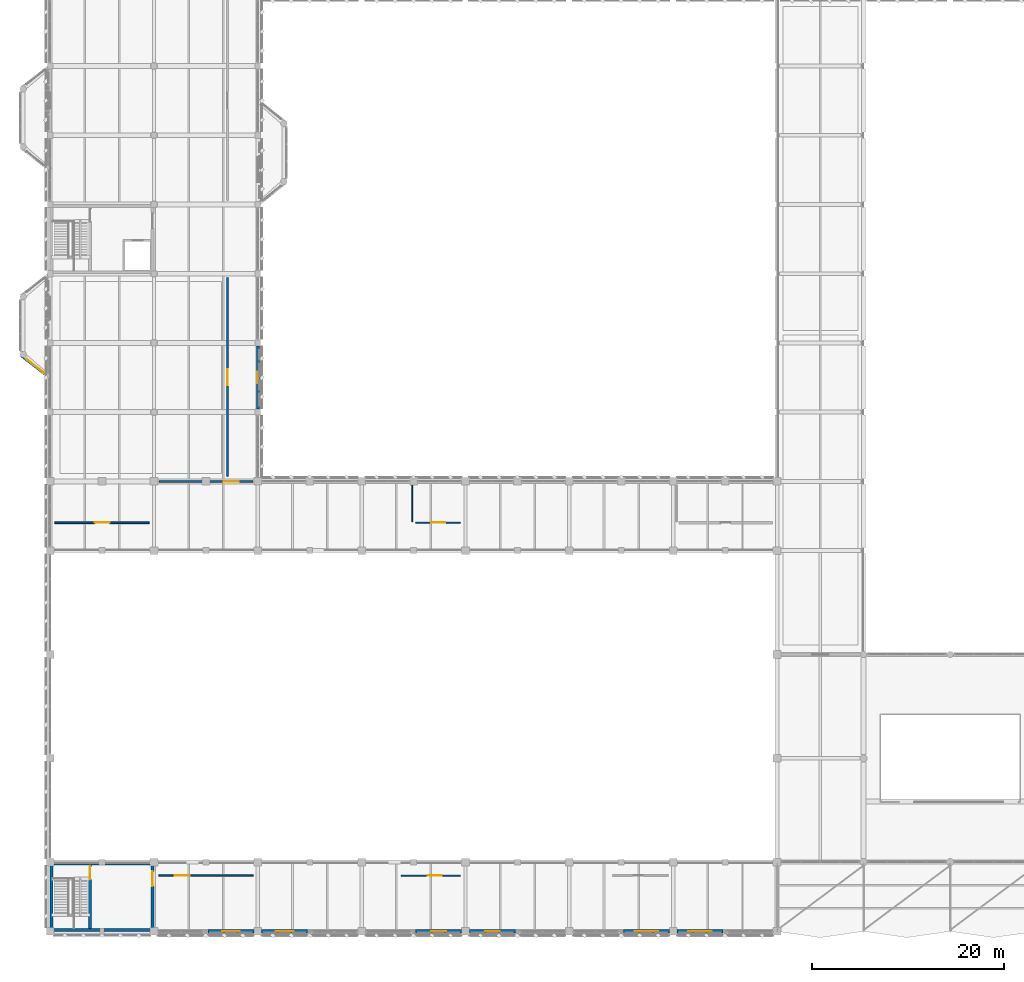
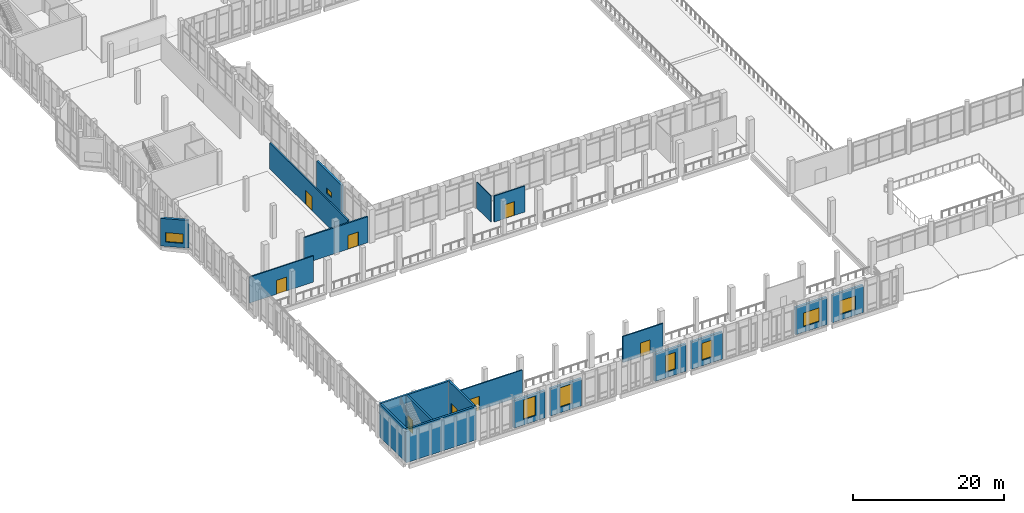
# One storey, part 156 of 180: 20 walls, 8 doors, 8 windows, 16 openings.
"""IFC4 building model written with IfcOpenShell, lengths in metres."""

from ifc_helpers import new_model, si_unit, direction, frame, frame_2d, origin, place, context, subcontext, project, spatial, rectangle, extrude, material, layer, layer_set, type_object, element, fill, save


model = new_model("IFC4")

# Units and contexts
model_context = context("Model", 3, precision=1e-05, world=origin(), true_north=direction((0.0, 1.0)))
body_context = subcontext(model_context, "Body", "Model", "MODEL_VIEW")
ifc_project = project(units=[si_unit("LENGTHUNIT", "METRE"), si_unit("AREAUNIT", "SQUARE_METRE"), si_unit("VOLUMEUNIT", "CUBIC_METRE"), si_unit("PLANEANGLEUNIT", "RADIAN"), si_unit("MASSUNIT", "GRAM", prefix="KILO")], contexts=[model_context])

# Site, building, storey
site_placement = place(None, origin())
site = spatial("IfcSite", under=ifc_project, at=site_placement, CompositionType="ELEMENT")
building_placement = place(site_placement, origin())
building = spatial("IfcBuilding", under=site, at=building_placement, Name="Lusvemor Sports Hall", CompositionType="ELEMENT")
storey_placement = place(building_placement, frame((0.0, 0.0, 5.39990234375)))
storey = spatial("IfcBuildingStorey", under=building, at=storey_placement, Name="L01", CompositionType="ELEMENT", Elevation=5.39990234375)

# Wall, opening, window
ifc_material_1 = material(Name="Emerald polychrome glazed ceramic cladding on Concrete C40/50 backing", Category="concrete")
ifc_layer_1 = layer(ifc_material_1, 0.364990234375)
ifc_layer_set_1 = layer_set([ifc_layer_1], Name="Emerald polychrome glazed ceramic cladding on Concrete C40/50 backing")
wall_type_1 = type_object("IfcWallType", Name="EW_WAVE_CER_365", PredefinedType="STANDARD", material=ifc_layer_set_1)
wall_1_placement = place(storey_placement, frame((21.2041015625, 0.0, 0.0), z_axis=(0.0, 0.0, 1.0), x_axis=(-1.0, 0.0, 0.0)))
wall_1 = element("IfcWall", 1, at=wall_1_placement, inside=storey, type_object=wall_type_1, Name="Exterior Wall EW-V1S-L01-1-2", PredefinedType="STANDARD", context=body_context, shape_type="SweptSolid", body=[
    extrude(rectangle(XDim=4.783203125, YDim=0.364990234375, at=frame_2d((2.3916015625, 0.0))), origin(), (0.0, 0.0, 1.0), 4.425048828125),
])
opening_1_placement = place(wall_1_placement, frame((1.468994140625, 0.0, 0.89990234375)))
opening_1 = element("IfcOpeningElement", 2, at=opening_1_placement, cuts=wall_1, Name="Opening WN04", PredefinedType="OPENING", context=body_context, shape_type="SweptSolid", body=[
    extrude(rectangle(XDim=1.85009765625, YDim=3.14990234375, at=frame_2d((0.925048828125, 1.574951171875))), frame((0.0, 0.1826171875, 0.0), z_axis=(0.0, -1.0, 0.0), x_axis=(1.0, 0.0, 0.0)), (0.0, 0.0, 1.0), 0.364990234375),
])
ifc_material_2 = material(Name="Solar-control laminated double glazing", Category="glass")
window_type_1 = type_object("IfcWindowType", Name="WIN_04", PartitioningType="SINGLE_PANEL", PredefinedType="WINDOW", material=ifc_material_2)
window_1_placement = place(opening_1_placement, origin())
window_1 = element("IfcWindow", 3, at=window_1_placement, inside=storey, type_object=window_type_1, Name="Trough Studio Window 1.2", OverallHeight=3.14990234375, OverallWidth=1.85009765625, PartitioningType="SINGLE_PANEL", PredefinedType="WINDOW", context=body_context, shape_type="SweptSolid", body=[
    extrude(rectangle(XDim=1.85009765625, YDim=3.14990234375, at=frame_2d((0.925048828125, 1.574951171875))), frame((0.0, 0.030029296875, 0.0), z_axis=(0.0, -1.0, 0.0), x_axis=(1.0, 0.0, 0.0)), (0.0, 0.0, 1.0), 0.06005859375),
])
fill(opening_1, window_1)

wall_2_placement = place(storey_placement, frame((26.779052734375, 0.0, 0.0), z_axis=(0.0, 0.0, 1.0), x_axis=(-1.0, 0.0, 0.0)))
wall_2 = element("IfcWall", 4, at=wall_2_placement, inside=storey, type_object=wall_type_1, Name="Exterior Wall EW-V1S-L01-2-1", PredefinedType="STANDARD", context=body_context, shape_type="SweptSolid", body=[
    extrude(rectangle(XDim=4.782958984375, YDim=0.364990234375, at=frame_2d((2.3916015625, 0.0))), origin(), (0.0, 0.0, 1.0), 4.425048828125),
])
opening_2_placement = place(wall_2_placement, frame((1.464111328125, 0.0, 0.89990234375)))
opening_2 = element("IfcOpeningElement", 5, at=opening_2_placement, cuts=wall_2, Name="Opening WN04", PredefinedType="OPENING", context=body_context, shape_type="SweptSolid", body=[
    extrude(rectangle(XDim=1.85009765625, YDim=3.14990234375, at=frame_2d((0.925048828125, 1.574951171875))), frame((0.0, 0.1826171875, 0.0), z_axis=(0.0, -1.0, 0.0), x_axis=(1.0, 0.0, 0.0)), (0.0, 0.0, 1.0), 0.364990234375),
])
window_2_placement = place(opening_2_placement, origin())
window_2 = element("IfcWindow", 6, at=window_2_placement, inside=storey, type_object=window_type_1, Name="Trough Studio Window 2.1", OverallHeight=3.14990234375, OverallWidth=1.85009765625, PartitioningType="SINGLE_PANEL", PredefinedType="WINDOW", context=body_context, shape_type="SweptSolid", body=[
    extrude(rectangle(XDim=1.85009765625, YDim=3.14990234375, at=frame_2d((0.925048828125, 1.574951171875))), frame((0.0, 0.030029296875, 0.0), z_axis=(0.0, -1.0, 0.0), x_axis=(1.0, 0.0, 0.0)), (0.0, 0.0, 1.0), 0.06005859375),
])
fill(opening_2, window_2)

wall_3_placement = place(storey_placement, frame((42.803955078125, 0.0, 0.0), z_axis=(0.0, 0.0, 1.0), x_axis=(-1.0, 0.0, 0.0)))
wall_3 = element("IfcWall", 7, at=wall_3_placement, inside=storey, type_object=wall_type_1, Name="Exterior Wall EW-V1S-L01-3-2", PredefinedType="STANDARD", context=body_context, shape_type="SweptSolid", body=[
    extrude(rectangle(XDim=4.782958984375, YDim=0.364990234375, at=frame_2d((2.3916015625, 0.0))), origin(), (0.0, 0.0, 1.0), 4.425048828125),
])
opening_3_placement = place(wall_3_placement, frame((1.634033203125, 0.0, 0.89990234375)))
opening_3 = element("IfcOpeningElement", 8, at=opening_3_placement, cuts=wall_3, Name="Opening WN06", PredefinedType="OPENING", context=body_context, shape_type="SweptSolid", body=[
    extrude(rectangle(XDim=1.52001953125, YDim=2.75, at=frame_2d((0.760009765625, 1.375))), frame((0.0, 0.1826171875, 0.0), z_axis=(0.0, -1.0, 0.0), x_axis=(1.0, 0.0, 0.0)), (0.0, 0.0, 1.0), 0.364990234375),
])
ifc_material_3 = material(Name="Solar-control laminated double glazing", Category="glass")
window_type_2 = type_object("IfcWindowType", Name="WIN_06", PartitioningType="SINGLE_PANEL", PredefinedType="WINDOW", material=ifc_material_3)
window_3_placement = place(opening_3_placement, origin())
window_3 = element("IfcWindow", 9, at=window_3_placement, inside=storey, type_object=window_type_2, Name="Trough Studio Window 3.2", OverallHeight=2.75, OverallWidth=1.52001953125, PartitioningType="SINGLE_PANEL", PredefinedType="WINDOW", context=body_context, shape_type="SweptSolid", body=[
    extrude(rectangle(XDim=1.52001953125, YDim=2.75, at=frame_2d((0.760009765625, 1.375))), frame((0.0, 0.030029296875, 0.0), z_axis=(0.0, -1.0, 0.0), x_axis=(1.0, 0.0, 0.0)), (0.0, 0.0, 1.0), 0.06005859375),
])
fill(opening_3, window_3)

wall_4_placement = place(storey_placement, frame((48.37890625, 0.0, 0.0), z_axis=(0.0, 0.0, 1.0), x_axis=(-1.0, 0.0, 0.0)))
wall_4 = element("IfcWall", 10, at=wall_4_placement, inside=storey, type_object=wall_type_1, Name="Exterior Wall EW-V1S-L01-4-1", PredefinedType="STANDARD", context=body_context, shape_type="SweptSolid", body=[
    extrude(rectangle(XDim=4.782958984375, YDim=0.364990234375, at=frame_2d((2.3916015625, 0.0))), origin(), (0.0, 0.0, 1.0), 4.425048828125),
])
opening_4_placement = place(wall_4_placement, frame((1.62890625, 0.0, 0.89990234375)))
opening_4 = element("IfcOpeningElement", 11, at=opening_4_placement, cuts=wall_4, Name="Opening WN06", PredefinedType="OPENING", context=body_context, shape_type="SweptSolid", body=[
    extrude(rectangle(XDim=1.52001953125, YDim=2.75, at=frame_2d((0.760009765625, 1.375))), frame((0.0, 0.1826171875, 0.0), z_axis=(0.0, -1.0, 0.0), x_axis=(1.0, 0.0, 0.0)), (0.0, 0.0, 1.0), 0.364990234375),
])
window_4_placement = place(opening_4_placement, origin())
window_4 = element("IfcWindow", 12, at=window_4_placement, inside=storey, type_object=window_type_2, Name="Trough Studio Window 4.1", OverallHeight=2.75, OverallWidth=1.52001953125, PartitioningType="SINGLE_PANEL", PredefinedType="WINDOW", context=body_context, shape_type="SweptSolid", body=[
    extrude(rectangle(XDim=1.52001953125, YDim=2.75, at=frame_2d((0.760009765625, 1.375))), frame((0.0, 0.030029296875, 0.0), z_axis=(0.0, -1.0, 0.0), x_axis=(1.0, 0.0, 0.0)), (0.0, 0.0, 1.0), 0.06005859375),
])
fill(opening_4, window_4)

wall_5_placement = place(storey_placement, frame((64.404052734375, 0.0, 0.0), z_axis=(0.0, 0.0, 1.0), x_axis=(-1.0, 0.0, 0.0)))
wall_5 = element("IfcWall", 13, at=wall_5_placement, inside=storey, type_object=wall_type_1, Name="Exterior Wall EW-V1S-L01-5-2", PredefinedType="STANDARD", context=body_context, shape_type="SweptSolid", body=[
    extrude(rectangle(XDim=4.782958984375, YDim=0.364990234375, at=frame_2d((2.3916015625, 0.0))), origin(), (0.0, 0.0, 1.0), 4.425048828125),
])
opening_5_placement = place(wall_5_placement, frame((1.18408203125, 0.0, 0.89990234375)))
opening_5 = element("IfcOpeningElement", 14, at=opening_5_placement, cuts=wall_5, Name="Opening WN08", PredefinedType="OPENING", context=body_context, shape_type="SweptSolid", body=[
    extrude(rectangle(XDim=2.419921875, YDim=2.219970703125, at=frame_2d((1.2099609375, 1.10986328125))), frame((0.0, 0.1826171875, 0.0), z_axis=(0.0, -1.0, 0.0), x_axis=(1.0, 0.0, 0.0)), (0.0, 0.0, 1.0), 0.364990234375),
])
ifc_material_4 = material(Name="Solar-control laminated double glazing", Category="glass")
window_type_3 = type_object("IfcWindowType", Name="WIN_08", PartitioningType="SINGLE_PANEL", PredefinedType="WINDOW", material=ifc_material_4)
window_5_placement = place(opening_5_placement, origin())
window_5 = element("IfcWindow", 15, at=window_5_placement, inside=storey, type_object=window_type_3, Name="Trough Studio Window 5.2", OverallHeight=2.219970703125, OverallWidth=2.419921875, PartitioningType="SINGLE_PANEL", PredefinedType="WINDOW", context=body_context, shape_type="SweptSolid", body=[
    extrude(rectangle(XDim=2.419921875, YDim=2.219970703125, at=frame_2d((1.2099609375, 1.10986328125))), frame((0.0, 0.030029296875, 0.0), z_axis=(0.0, -1.0, 0.0), x_axis=(1.0, 0.0, 0.0)), (0.0, 0.0, 1.0), 0.06005859375),
])
fill(opening_5, window_5)

wall_6_placement = place(storey_placement, frame((69.97900390625, 0.0, 0.0), z_axis=(0.0, 0.0, 1.0), x_axis=(-1.0, 0.0, 0.0)))
wall_6 = element("IfcWall", 16, at=wall_6_placement, inside=storey, type_object=wall_type_1, Name="Exterior Wall EW-V1S-L01-6-1", PredefinedType="STANDARD", context=body_context, shape_type="SweptSolid", body=[
    extrude(rectangle(XDim=4.782958984375, YDim=0.364990234375, at=frame_2d((2.3916015625, 0.0))), origin(), (0.0, 0.0, 1.0), 4.425048828125),
])
opening_6_placement = place(wall_6_placement, frame((1.178955078125, 0.0, 0.89990234375)))
opening_6 = element("IfcOpeningElement", 17, at=opening_6_placement, cuts=wall_6, Name="Opening WN08", PredefinedType="OPENING", context=body_context, shape_type="SweptSolid", body=[
    extrude(rectangle(XDim=2.419921875, YDim=2.219970703125, at=frame_2d((1.2099609375, 1.10986328125))), frame((0.0, 0.1826171875, 0.0), z_axis=(0.0, -1.0, 0.0), x_axis=(1.0, 0.0, 0.0)), (0.0, 0.0, 1.0), 0.364990234375),
])
window_6_placement = place(opening_6_placement, origin())
window_6 = element("IfcWindow", 18, at=window_6_placement, inside=storey, type_object=window_type_3, Name="Trough Studio Window 6.1", OverallHeight=2.219970703125, OverallWidth=2.419921875, PartitioningType="SINGLE_PANEL", PredefinedType="WINDOW", context=body_context, shape_type="SweptSolid", body=[
    extrude(rectangle(XDim=2.419921875, YDim=2.219970703125, at=frame_2d((1.2099609375, 1.10986328125))), frame((0.0, 0.030029296875, 0.0), z_axis=(0.0, -1.0, 0.0), x_axis=(1.0, 0.0, 0.0)), (0.0, 0.0, 1.0), 0.06005859375),
])
fill(opening_6, window_6)

wall_7_placement = place(storey_placement, frame((-0.009765625, 57.607421875, 0.0), z_axis=(0.0, 0.0, 1.0), x_axis=(-0.790710624982, 0.612190091018, 0.0)))
wall_7 = element("IfcWall", 19, at=wall_7_placement, inside=storey, type_object=wall_type_1, Name="Art Nouveau Bow Wall EW-BOW-W1-L01-1", PredefinedType="STANDARD", context=body_context, shape_type="SweptSolid", body=[
    extrude(rectangle(XDim=3.7880859375, YDim=0.364990234375, at=frame_2d((1.89404296875, 0.0))), origin(), (0.0, 0.0, 1.0), 4.47998046875),
])
opening_7_placement = place(wall_7_placement, frame((0.78759765625, 0.0, 0.699951171875)))
opening_7 = element("IfcOpeningElement", 20, at=opening_7_placement, cuts=wall_7, Name="Opening WN21", PredefinedType="OPENING", context=body_context, shape_type="SweptSolid", body=[
    extrude(rectangle(XDim=2.320068359375, YDim=1.52001953125, at=frame_2d((1.16015625, 0.760009765625))), frame((0.0, 0.1826171875, 0.0), z_axis=(0.0, -1.0, 0.0), x_axis=(1.0, 0.0, 0.0)), (0.0, 0.0, 1.0), 0.364990234375),
])
ifc_material_5 = material(Name="Solar-control laminated double glazing", Category="glass")
window_type_4 = type_object("IfcWindowType", Name="WIN_21", PartitioningType="SINGLE_PANEL", PredefinedType="WINDOW", material=ifc_material_5)
window_7_placement = place(opening_7_placement, origin())
window_7 = element("IfcWindow", 21, at=window_7_placement, inside=storey, type_object=window_type_4, Name="Art Nouveau Bow Window BOW-W1 L01-1", OverallHeight=1.52001953125, OverallWidth=2.320068359375, PartitioningType="SINGLE_PANEL", PredefinedType="WINDOW", context=body_context, shape_type="SweptSolid", body=[
    extrude(rectangle(XDim=2.320068359375, YDim=1.52001953125, at=frame_2d((1.16015625, 0.760009765625))), frame((0.0, 0.030029296875, 0.0), z_axis=(0.0, -1.0, 0.0), x_axis=(1.0, 0.0, 0.0)), (0.0, 0.0, 1.0), 0.06005859375),
])
fill(opening_7, window_7)

ifc_material_6 = material(Name="Warm terracotta Art Nouveau ceramic cladding on Concrete C40/50 backing", Category="masonry")
ifc_layer_2 = layer(ifc_material_6, 0.31494140625)
ifc_layer_set_2 = layer_set([ifc_layer_2], Name="Warm terracotta Art Nouveau ceramic cladding on Concrete C40/50 backing")
wall_type_2 = type_object("IfcWallType", Name="EW_WING_CAV_315", PredefinedType="STANDARD", material=ifc_layer_set_2)
wall_8_placement = place(storey_placement, frame((21.60009765625, 60.884033203125, 0.0), z_axis=(0.0, 0.0, 1.0), x_axis=(0.0, -1.0, 0.0)))
wall_8 = element("IfcWall", 22, at=wall_8_placement, inside=storey, type_object=wall_type_2, Name="Exterior Wall EW-L01-E-4-1", PredefinedType="STANDARD", context=body_context, shape_type="SweptSolid", body=[
    extrude(rectangle(XDim=6.568115234375, YDim=0.31494140625, at=frame_2d((3.2841796875, 0.0))), origin(), (0.0, 0.0, 1.0), 4.51513671875),
])
opening_8_placement = place(wall_8_placement, frame((2.6640625, 0.0, 0.89990234375)))
opening_8 = element("IfcOpeningElement", 23, at=opening_8_placement, cuts=wall_8, Name="Opening WN15", PredefinedType="OPENING", context=body_context, shape_type="SweptSolid", body=[
    extrude(rectangle(XDim=1.239990234375, YDim=0.820068359375, at=frame_2d((0.6201171875, 0.41015625))), frame((0.0, 0.157470703125, 0.0), z_axis=(0.0, -1.0, 0.0), x_axis=(1.0, 0.0, 0.0)), (0.0, 0.0, 1.0), 0.31494140625),
])
ifc_material_7 = material(Name="Solar-control laminated double glazing", Category="glass")
window_type_5 = type_object("IfcWindowType", Name="WIN_15", PartitioningType="SINGLE_PANEL", PredefinedType="WINDOW", material=ifc_material_7)
window_8_placement = place(opening_8_placement, origin())
window_8 = element("IfcWindow", 24, at=window_8_placement, inside=storey, type_object=window_type_5, Name="Wing Window L01-E-4-1", OverallHeight=0.820068359375, OverallWidth=1.239990234375, PartitioningType="SINGLE_PANEL", PredefinedType="WINDOW", context=body_context, shape_type="SweptSolid", body=[
    extrude(rectangle(XDim=1.239990234375, YDim=0.820068359375, at=frame_2d((0.6201171875, 0.41015625))), frame((0.0, 0.030029296875, 0.0), z_axis=(0.0, -1.0, 0.0), x_axis=(1.0, 0.0, 0.0)), (0.0, 0.0, 1.0), 0.06005859375),
])
fill(opening_8, window_8)

# Wall, opening, door
ifc_material_8 = material(Name="Double-leaf acoustic gypsum board on metal studs")
ifc_layer_3 = layer(ifc_material_8, 0.179931640625)
ifc_layer_set_3 = layer_set([ifc_layer_3], Name="Double-leaf acoustic gypsum board on metal studs")
wall_type_3 = type_object("IfcWallType", Name="IW_ACOUST_184", PredefinedType="STANDARD", material=ifc_layer_set_3)
wall_9_placement = place(storey_placement, frame((11.300048828125, 5.800048828125, 0.0), z_axis=(0.0, 0.0, 1.0), x_axis=(1.0, 0.0, 0.0)))
wall_9 = element("IfcWall", 25, at=wall_9_placement, inside=storey, type_object=wall_type_3, Name="Partition IW-L01-V1S-UT1", PredefinedType="STANDARD", context=body_context, shape_type="SweptSolid", body=[
    extrude(rectangle(XDim=9.800048828125, YDim=0.179931640625, at=frame_2d((4.89990234375, 0.0))), origin(), (0.0, 0.0, 1.0), 4.22021484375),
])
opening_9_placement = place(wall_9_placement, frame((1.64794921875, 0.0, 0.0)))
opening_9 = element("IfcOpeningElement", 26, at=opening_9_placement, cuts=wall_9, Name="Opening ID04", PredefinedType="OPENING", context=body_context, shape_type="SweptSolid", body=[
    extrude(rectangle(XDim=1.56005859375, YDim=2.25, at=frame_2d((0.780029296875, 1.125))), frame((0.0, 0.08984375, 0.0), z_axis=(0.0, -1.0, 0.0), x_axis=(1.0, 0.0, 0.0)), (0.0, 0.0, 1.0), 0.179931640625),
])
ifc_material_9 = material(Name="Acoustic solid-core hardwood door leaf in steel frame", Category="steel")
door_type_1 = type_object("IfcDoorType", Name="IDR_STUDIO_156", OperationType="NOTDEFINED", PredefinedType="DOOR", material=ifc_material_9)
door_1_placement = place(opening_9_placement, origin())
door_1 = element("IfcDoor", 27, at=door_1_placement, inside=storey, type_object=door_type_1, Name="DR-168", OperationType="SINGLE_SWING_RIGHT", OverallHeight=2.25, OverallWidth=1.56005859375, PredefinedType="DOOR", context=body_context, shape_type="SweptSolid", body=[
    extrude(rectangle(XDim=1.56005859375, YDim=2.25, at=frame_2d((0.780029296875, 1.125))), frame((0.0, 0.02490234375, 0.0), z_axis=(0.0, -1.0, 0.0), x_axis=(1.0, 0.0, 0.0)), (0.0, 0.0, 1.0), 0.050048828125),
])
fill(opening_9, door_1)

wall_10_placement = place(storey_placement, frame((36.5, 5.800048828125, 0.0), z_axis=(0.0, 0.0, 1.0), x_axis=(1.0, 0.0, 0.0)))
wall_10 = element("IfcWall", 28, at=wall_10_placement, inside=storey, type_object=wall_type_3, Name="Partition IW-L01-V1S-UT2", PredefinedType="STANDARD", context=body_context, shape_type="SweptSolid", body=[
    extrude(rectangle(XDim=6.199951171875, YDim=0.179931640625, at=frame_2d((3.10009765625, 0.0))), origin(), (0.0, 0.0, 1.0), 4.22021484375),
])
opening_10_placement = place(wall_10_placement, frame((2.7490234375, 0.0, 0.0)))
opening_10 = element("IfcOpeningElement", 29, at=opening_10_placement, cuts=wall_10, Name="Opening ID05", PredefinedType="OPENING", context=body_context, shape_type="SweptSolid", body=[
    extrude(rectangle(XDim=1.4599609375, YDim=2.239990234375, at=frame_2d((0.72998046875, 1.1201171875))), frame((0.0, 0.08984375, 0.0), z_axis=(0.0, -1.0, 0.0), x_axis=(1.0, 0.0, 0.0)), (0.0, 0.0, 1.0), 0.179931640625),
])
ifc_material_10 = material(Name="Acoustic solid-core hardwood door leaf in steel frame", Category="steel")
door_type_2 = type_object("IfcDoorType", Name="IDR_STUDIO_146", OperationType="NOTDEFINED", PredefinedType="DOOR", material=ifc_material_10)
door_2_placement = place(opening_10_placement, origin())
door_2 = element("IfcDoor", 30, at=door_2_placement, inside=storey, type_object=door_type_2, Name="DR-169", OperationType="SINGLE_SWING_LEFT", OverallHeight=2.239990234375, OverallWidth=1.4599609375, PredefinedType="DOOR", context=body_context, shape_type="SweptSolid", body=[
    extrude(rectangle(XDim=1.4599609375, YDim=2.239990234375, at=frame_2d((0.72998046875, 1.1201171875))), frame((0.0, 0.02490234375, 0.0), z_axis=(0.0, -1.0, 0.0), x_axis=(1.0, 0.0, 0.0)), (0.0, 0.0, 1.0), 0.050048828125),
])
fill(opening_10, door_2)

wall_11_placement = place(storey_placement, frame((0.5, 42.5, 0.0), z_axis=(0.0, 0.0, 1.0), x_axis=(1.0, 0.0, 0.0)))
wall_11 = element("IfcWall", 31, at=wall_11_placement, inside=storey, type_object=wall_type_3, Name="Partition IW-L01-V1N-UT3", PredefinedType="STANDARD", context=body_context, shape_type="SweptSolid", body=[
    extrude(rectangle(XDim=9.800048828125, YDim=0.179931640625, at=frame_2d((4.89990234375, 0.0))), origin(), (0.0, 0.0, 1.0), 4.22021484375),
])
opening_11_placement = place(wall_11_placement, frame((4.1201171875, 0.0, 0.0)))
opening_11 = element("IfcOpeningElement", 32, at=opening_11_placement, cuts=wall_11, Name="Opening ID04", PredefinedType="OPENING", context=body_context, shape_type="SweptSolid", body=[
    extrude(rectangle(XDim=1.56005859375, YDim=2.25, at=frame_2d((0.780029296875, 1.125))), frame((0.0, 0.08984375, 0.0), z_axis=(0.0, -1.0, 0.0), x_axis=(1.0, 0.0, 0.0)), (0.0, 0.0, 1.0), 0.179931640625),
])
door_3_placement = place(opening_11_placement, origin())
door_3 = element("IfcDoor", 33, at=door_3_placement, inside=storey, type_object=door_type_1, Name="DR-172", OperationType="SINGLE_SWING_RIGHT", OverallHeight=2.25, OverallWidth=1.56005859375, PredefinedType="DOOR", context=body_context, shape_type="SweptSolid", body=[
    extrude(rectangle(XDim=1.56005859375, YDim=2.25, at=frame_2d((0.780029296875, 1.125))), frame((0.0, 0.02490234375, 0.0), z_axis=(0.0, -1.0, 0.0), x_axis=(1.0, 0.0, 0.0)), (0.0, 0.0, 1.0), 0.050048828125),
])
fill(opening_11, door_3)

wall_12_placement = place(storey_placement, frame((38.0, 42.5, 0.0), z_axis=(0.0, 0.0, 1.0), x_axis=(1.0, 0.0, 0.0)))
wall_12 = element("IfcWall", 34, at=wall_12_placement, inside=storey, type_object=wall_type_3, Name="Partition IW-L01-V1N-UT4", PredefinedType="STANDARD", context=body_context, shape_type="SweptSolid", body=[
    extrude(rectangle(XDim=4.699951171875, YDim=0.179931640625, at=frame_2d((2.35009765625, 0.0))), origin(), (0.0, 0.0, 1.0), 4.22021484375),
])
opening_12_placement = place(wall_12_placement, frame((1.6201171875, 0.0, 0.0)))
opening_12 = element("IfcOpeningElement", 35, at=opening_12_placement, cuts=wall_12, Name="Opening ID05", PredefinedType="OPENING", context=body_context, shape_type="SweptSolid", body=[
    extrude(rectangle(XDim=1.4599609375, YDim=2.239990234375, at=frame_2d((0.72998046875, 1.1201171875))), frame((0.0, 0.08984375, 0.0), z_axis=(0.0, -1.0, 0.0), x_axis=(1.0, 0.0, 0.0)), (0.0, 0.0, 1.0), 0.179931640625),
])
door_4_placement = place(opening_12_placement, origin())
door_4 = element("IfcDoor", 36, at=door_4_placement, inside=storey, type_object=door_type_2, Name="DR-173", OperationType="SINGLE_SWING_LEFT", OverallHeight=2.239990234375, OverallWidth=1.4599609375, PredefinedType="DOOR", context=body_context, shape_type="SweptSolid", body=[
    extrude(rectangle(XDim=1.4599609375, YDim=2.239990234375, at=frame_2d((0.72998046875, 1.1201171875))), frame((0.0, 0.02490234375, 0.0), z_axis=(0.0, -1.0, 0.0), x_axis=(1.0, 0.0, 0.0)), (0.0, 0.0, 1.0), 0.050048828125),
])
fill(opening_12, door_4)

ifc_material_11 = material(Name="Double-leaf acoustic gypsum board on metal studs")
ifc_layer_4 = layer(ifc_material_11, 0.199951171875)
ifc_layer_set_4 = layer_set([ifc_layer_4], Name="Double-leaf acoustic gypsum board on metal studs")
wall_type_4 = type_object("IfcWallType", Name="IW_ACOUST_202", PredefinedType="STANDARD", material=ifc_layer_set_4)
wall_13_placement = place(storey_placement, frame((18.449951171875, 47.300048828125, 0.0), z_axis=(0.0, 0.0, 1.0), x_axis=(0.0, 1.0, 0.0)))
wall_13 = element("IfcWall", 37, at=wall_13_placement, inside=storey, type_object=wall_type_4, Name="Partition IW-L01-W-DANCE2", PredefinedType="STANDARD", context=body_context, shape_type="SweptSolid", body=[
    extrude(rectangle(XDim=20.699951171875, YDim=0.199951171875, at=frame_2d((10.35009765625, 0.0))), origin(), (0.0, 0.0, 1.0), 4.22021484375),
])
opening_13_placement = place(wall_13_placement, frame((9.52001953125, 0.0, 0.0)))
opening_13 = element("IfcOpeningElement", 38, at=opening_13_placement, cuts=wall_13, Name="Opening ID06", PredefinedType="OPENING", context=body_context, shape_type="SweptSolid", body=[
    extrude(rectangle(XDim=1.659912109375, YDim=2.320068359375, at=frame_2d((0.830078125, 1.16015625))), frame((0.0, 0.10009765625, 0.0), z_axis=(0.0, -1.0, 0.0), x_axis=(1.0, 0.0, 0.0)), (0.0, 0.0, 1.0), 0.199951171875),
])
ifc_material_12 = material(Name="Acoustic solid-core hardwood door leaf in steel frame", Category="steel")
door_type_3 = type_object("IfcDoorType", Name="IDR_DANCE_166", OperationType="NOTDEFINED", PredefinedType="DOOR", material=ifc_material_12)
door_5_placement = place(opening_13_placement, origin())
door_5 = element("IfcDoor", 39, at=door_5_placement, inside=storey, type_object=door_type_3, Name="DR-177", OperationType="SINGLE_SWING_LEFT", OverallHeight=2.320068359375, OverallWidth=1.659912109375, PredefinedType="DOOR", context=body_context, shape_type="SweptSolid", body=[
    extrude(rectangle(XDim=1.659912109375, YDim=2.320068359375, at=frame_2d((0.830078125, 1.16015625))), frame((0.0, 0.02490234375, 0.0), z_axis=(0.0, -1.0, 0.0), x_axis=(1.0, 0.0, 0.0)), (0.0, 0.0, 1.0), 0.050048828125),
])
fill(opening_13, door_5)

ifc_material_13 = material(Name="Plastered ceramic masonry blockwork", Category="masonry")
ifc_layer_5 = layer(ifc_material_13, 0.219970703125)
ifc_layer_set_5 = layer_set([ifc_layer_5], Name="Plastered ceramic masonry blockwork")
wall_type_5 = type_object("IfcWallType", Name="IW_COMP_224", PredefinedType="STANDARD", material=ifc_layer_set_5)
wall_14_placement = place(storey_placement, frame((11.300048828125, 46.800048828125, 0.0), z_axis=(0.0, 0.0, 1.0), x_axis=(1.0, 0.0, 0.0)))
wall_14 = element("IfcWall", 40, at=wall_14_placement, inside=storey, type_object=wall_type_5, Name="Partition IW-L01-V1N-WLINK", PredefinedType="STANDARD", context=body_context, shape_type="SweptSolid", body=[
    extrude(rectangle(XDim=9.800048828125, YDim=0.219970703125, at=frame_2d((4.89990234375, 0.0))), origin(), (0.0, 0.0, 1.0), 4.22021484375),
])
opening_14_placement = place(wall_14_placement, frame((6.739990234375, 0.0, 0.0)))
opening_14 = element("IfcOpeningElement", 41, at=opening_14_placement, cuts=wall_14, Name="Opening ID24", PredefinedType="OPENING", context=body_context, shape_type="SweptSolid", body=[
    extrude(rectangle(XDim=1.580078125, YDim=2.239990234375, at=frame_2d((0.7900390625, 1.1201171875))), frame((0.0, 0.10986328125, 0.0), z_axis=(0.0, -1.0, 0.0), x_axis=(1.0, 0.0, 0.0)), (0.0, 0.0, 1.0), 0.219970703125),
])
ifc_material_14 = material(Name="Fire-rated insulated painted steel door assembly", Category="steel")
door_type_4 = type_object("IfcDoorType", Name="IDR_GAL_LINK_158", OperationType="NOTDEFINED", PredefinedType="DOOR", material=ifc_material_14)
door_6_placement = place(opening_14_placement, origin())
door_6 = element("IfcDoor", 42, at=door_6_placement, inside=storey, type_object=door_type_4, Name="DR-171", OperationType="SINGLE_SWING_LEFT", OverallHeight=2.239990234375, OverallWidth=1.580078125, PredefinedType="DOOR", context=body_context, shape_type="SweptSolid", body=[
    extrude(rectangle(XDim=1.580078125, YDim=2.239990234375, at=frame_2d((0.7900390625, 1.1201171875))), frame((0.0, 0.02490234375, 0.0), z_axis=(0.0, -1.0, 0.0), x_axis=(1.0, 0.0, 0.0)), (0.0, 0.0, 1.0), 0.050048828125),
])
fill(opening_14, door_6)

# Walls
ifc_material_15 = material(Name="Double-leaf acoustic gypsum board on metal studs")
ifc_layer_6 = layer(ifc_material_15, 0.1201171875)
ifc_layer_set_6 = layer_set([ifc_layer_6], Name="Double-leaf acoustic gypsum board on metal studs")
wall_type_6 = type_object("IfcWallType", Name="IW_PART_124", PredefinedType="STANDARD", material=ifc_layer_set_6)
wall_15_placement = place(storey_placement, frame((37.64990234375, 42.60009765625, 0.0), z_axis=(0.0, 0.0, 1.0), x_axis=(0.0, 1.0, 0.0)))
element("IfcWall", 43, at=wall_15_placement, inside=storey, type_object=wall_type_6, Name="Partition IW-L01-V1NDIV-37", PredefinedType="STANDARD", context=body_context, shape_type="SweptSolid", body=[
    extrude(rectangle(XDim=3.7998046875, YDim=0.1201171875, at=frame_2d((1.89990234375, 0.0))), origin(), (0.0, 0.0, 1.0), 4.22021484375),
])
ifc_material_16 = material(Name="Concrete C40/50", Category="concrete")
ifc_layer_7 = layer(ifc_material_16, 0.300048828125)
ifc_layer_set_7 = layer_set([ifc_layer_7], Name="Concrete C40/50")
wall_type_7 = type_object("IfcWallType", Name="WALL_CORE_300_INT", PredefinedType="SHEAR", material=ifc_layer_set_7)
wall_16_placement = place(storey_placement, frame((0.0, 7.050048828125, 0.0), z_axis=(0.0, 0.0, 1.0), x_axis=(1.0, 0.0, 0.0)))
element("IfcWall", 44, at=wall_16_placement, inside=storey, type_object=wall_type_7, Name="Core C6 Southwest Hall Shear Wall N (L01)", PredefinedType="SHEAR", context=body_context, shape_type="SweptSolid", body=[
    extrude(rectangle(XDim=10.800048828125, YDim=0.300048828125, at=frame_2d((5.39990234375, 0.0))), origin(), (0.0, 0.0, 1.0), 5.400146484375),
])
wall_17_placement = place(storey_placement, frame((0.14990234375, 0.300048828125, 0.0), z_axis=(0.0, 0.0, 1.0), x_axis=(0.0, 1.0, 0.0)))
element("IfcWall", 45, at=wall_17_placement, inside=storey, type_object=wall_type_7, Name="Core C6 Southwest Hall Shear Wall W (L01)", PredefinedType="SHEAR", context=body_context, shape_type="SweptSolid", body=[
    extrude(rectangle(XDim=6.599853515625, YDim=0.300048828125, at=frame_2d((3.2998046875, 0.0))), origin(), (0.0, 0.0, 1.0), 5.400146484375),
])

# Wall, opening, door
wall_18_placement = place(storey_placement, frame((10.64990234375, 6.89990234375, 0.0), z_axis=(0.0, 0.0, 1.0), x_axis=(0.0, -1.0, 0.0)))
wall_18 = element("IfcWall", 46, at=wall_18_placement, inside=storey, type_object=wall_type_7, Name="Core C6 Southwest Hall Shear Wall E (L01)", PredefinedType="SHEAR", context=body_context, shape_type="SweptSolid", body=[
    extrude(rectangle(XDim=6.599853515625, YDim=0.300048828125, at=frame_2d((3.2998046875, 0.0))), origin(), (0.0, 0.0, 1.0), 5.400146484375),
])
opening_15_placement = place(wall_18_placement, frame((0.64990234375, 0.0, 0.0)))
opening_15 = element("IfcOpeningElement", 47, at=opening_15_placement, cuts=wall_18, Name="Opening DR-FD60-01", PredefinedType="OPENING", context=body_context, shape_type="SweptSolid", body=[
    extrude(rectangle(XDim=1.5400390625, YDim=2.219970703125, at=frame_2d((0.77001953125, 1.10986328125))), frame((0.0, 0.14990234375, 0.0), z_axis=(0.0, -1.0, 0.0), x_axis=(1.0, 0.0, 0.0)), (0.0, 0.0, 1.0), 0.300048828125),
])
ifc_material_17 = material(Name="Fire-rated insulated painted steel door assembly", Category="steel")
door_type_5 = type_object("IfcDoorType", Name="IDR_LOBBY_FD60_154", OperationType="NOTDEFINED", PredefinedType="DOOR", material=ifc_material_17)
door_7_placement = place(opening_15_placement, origin())
door_7 = element("IfcDoor", 48, at=door_7_placement, inside=storey, type_object=door_type_5, Name="DR-113", OperationType="SINGLE_SWING_LEFT", OverallHeight=2.219970703125, OverallWidth=1.5400390625, PredefinedType="DOOR", context=body_context, shape_type="SweptSolid", body=[
    extrude(rectangle(XDim=1.5400390625, YDim=2.219970703125, at=frame_2d((0.77001953125, 1.10986328125))), frame((0.0, 0.02490234375, 0.0), z_axis=(0.0, -1.0, 0.0), x_axis=(1.0, 0.0, 0.0)), (0.0, 0.0, 1.0), 0.050048828125),
])
fill(opening_15, door_7)

wall_19_placement = place(storey_placement, frame((4.14990234375, 0.300048828125, 0.0), z_axis=(0.0, 0.0, 1.0), x_axis=(0.0, 1.0, 0.0)))
wall_19 = element("IfcWall", 49, at=wall_19_placement, inside=storey, type_object=wall_type_7, Name="Core C6 Southwest Hall Shear Wall M (L01)", PredefinedType="SHEAR", context=body_context, shape_type="SweptSolid", body=[
    extrude(rectangle(XDim=6.599853515625, YDim=0.300048828125, at=frame_2d((3.2998046875, 0.0))), origin(), (0.0, 0.0, 1.0), 5.400146484375),
])
opening_16_placement = place(wall_19_placement, frame((5.110107421875, 0.0, 0.0)))
opening_16 = element("IfcOpeningElement", 50, at=opening_16_placement, cuts=wall_19, Name="Opening DR-FD90-02", PredefinedType="OPENING", context=body_context, shape_type="SweptSolid", body=[
    extrude(rectangle(XDim=1.340087890625, YDim=2.179931640625, at=frame_2d((0.669921875, 1.08984375))), frame((0.0, 0.14990234375, 0.0), z_axis=(0.0, -1.0, 0.0), x_axis=(1.0, 0.0, 0.0)), (0.0, 0.0, 1.0), 0.300048828125),
])
ifc_material_18 = material(Name="Fire-rated insulated painted steel door assembly", Category="steel")
door_type_6 = type_object("IfcDoorType", Name="IDR_STAIR_FD90_134", OperationType="NOTDEFINED", PredefinedType="DOOR", material=ifc_material_18)
door_8_placement = place(opening_16_placement, origin())
door_8 = element("IfcDoor", 51, at=door_8_placement, inside=storey, type_object=door_type_6, Name="DR-112", OperationType="SINGLE_SWING_RIGHT", OverallHeight=2.179931640625, OverallWidth=1.340087890625, PredefinedType="DOOR", context=body_context, shape_type="SweptSolid", body=[
    extrude(rectangle(XDim=1.340087890625, YDim=2.179931640625, at=frame_2d((0.669921875, 1.08984375))), frame((0.0, 0.02490234375, 0.0), z_axis=(0.0, -1.0, 0.0), x_axis=(1.0, 0.0, 0.0)), (0.0, 0.0, 1.0), 0.050048828125),
])
fill(opening_16, door_8)

# Wall
ifc_material_19 = material(Name="Concrete C40/50", Category="concrete")
ifc_layer_8 = layer(ifc_material_19, 0.324951171875)
ifc_layer_set_8 = layer_set([ifc_layer_8], Name="Concrete C40/50")
wall_type_8 = type_object("IfcWallType", Name="WALL_CORE_325_EXT", PredefinedType="SHEAR", material=ifc_layer_set_8)
wall_20_placement = place(storey_placement, frame((10.800048828125, 0.14990234375, 0.0), z_axis=(0.0, 0.0, 1.0), x_axis=(-1.0, 0.0, 0.0)))
element("IfcWall", 52, at=wall_20_placement, inside=storey, type_object=wall_type_8, Name="Core C6 Southwest Hall Shear Wall S (L01)", PredefinedType="SHEAR", context=body_context, shape_type="SweptSolid", body=[
    extrude(rectangle(XDim=10.800048828125, YDim=0.324951171875, at=frame_2d((5.39990234375, 0.0))), origin(), (0.0, 0.0, 1.0), 5.400146484375),
])

save(model, "model.ifc")
